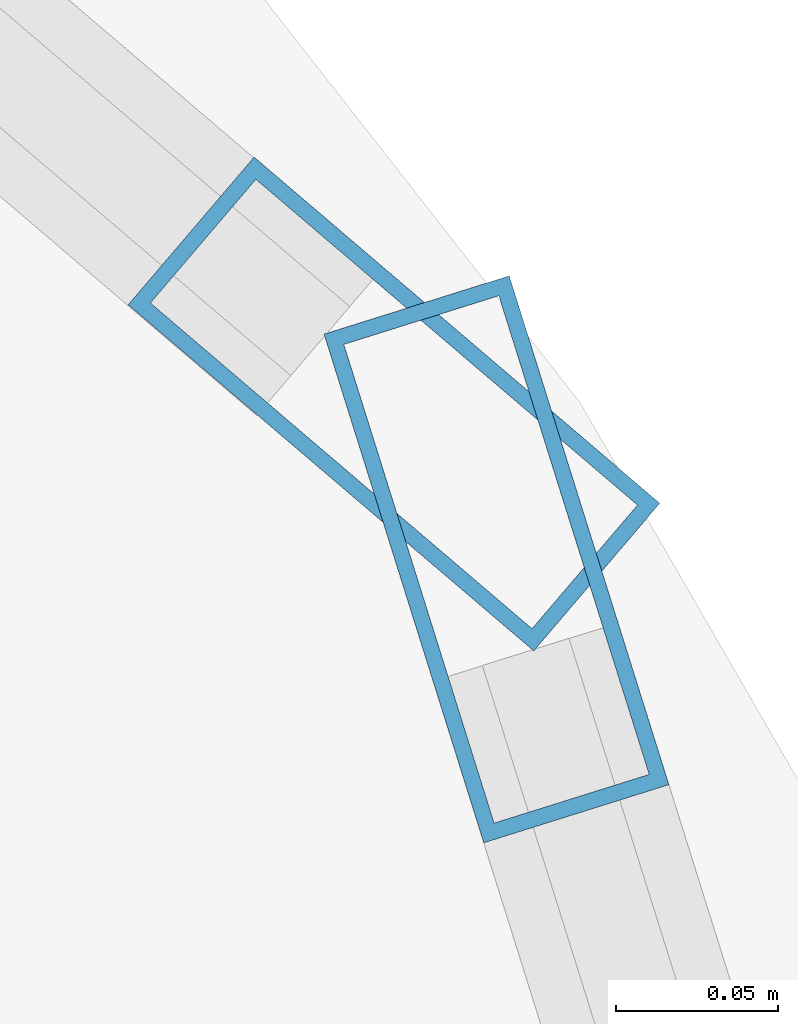
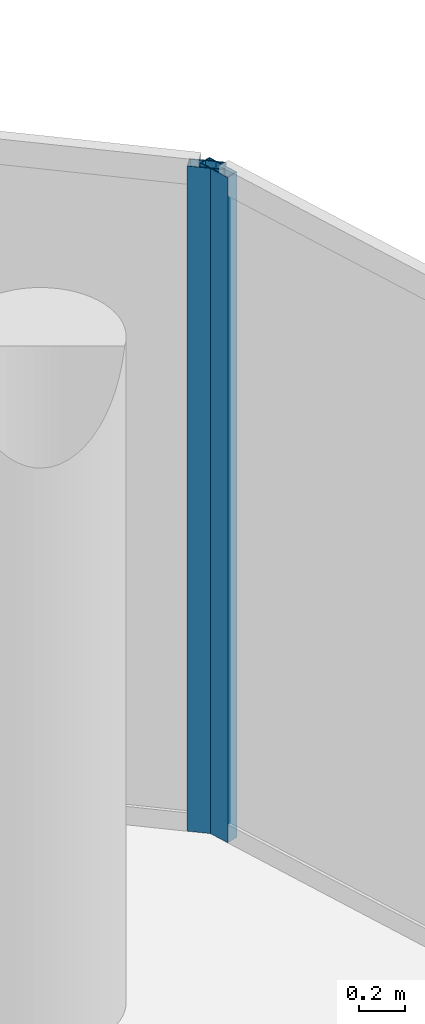
# One storey, part 14 of 24: 2 members, 2 elements without a shape of their own.
"""IFC4 building model written with IfcOpenShell, lengths in metres."""

from ifc_helpers import new_model, si_unit, direction, frame, origin, origin_2d, place, context, subcontext, project, spatial, hollow_rectangle, extrude, material, layer, layer_set, material_profile, profile_set, type_object, element, aggregate, save


model = new_model("IFC4")

# Units and contexts
model_context = context("Model", 3, precision=1e-05, world=origin(), true_north=direction((0.0, 1.0)))
body_context = subcontext(model_context, "Body", "Model", "MODEL_VIEW")
ifc_project = project(units=[si_unit("LENGTHUNIT", "METRE"), si_unit("AREAUNIT", "SQUARE_METRE"), si_unit("VOLUMEUNIT", "CUBIC_METRE"), si_unit("PLANEANGLEUNIT", "RADIAN"), si_unit("MASSUNIT", "GRAM", prefix="KILO")], contexts=[model_context])

# Site, building, storey
site_placement = place(None, origin())
site = spatial("IfcSite", under=ifc_project, at=site_placement, CompositionType="ELEMENT")
building_placement = place(site_placement, origin())
building = spatial("IfcBuilding", under=site, at=building_placement, Name="Nuhasar Tower", CompositionType="ELEMENT")
storey_placement = place(building_placement, frame((0.0, 0.0, 289.800048828125)))
storey = spatial("IfcBuildingStorey", under=building, at=storey_placement, Name="L72", CompositionType="ELEMENT", Elevation=289.800048828125)

# Curtain wall, member
ifc_material = material(Name="Aluminium 6063-T6", Category="aluminium")
ifc_layer = layer(ifc_material, 0.18994140625)
ifc_layer_set = layer_set([ifc_layer], Name="Aluminium 6063-T6")
curtain_wall_type = type_object("IfcCurtainWallType", Name="CW-Z4-PEN", PredefinedType="NOTDEFINED", material=ifc_layer_set)
curtain_wall_1_placement = place(storey_placement, origin())
curtain_wall_1 = element("IfcCurtainWall", 1, at=curtain_wall_1_placement, inside=storey, type_object=curtain_wall_type, Name="L72 Unitised Curtain Wall 01", PredefinedType="NOTDEFINED")
ifc_material_profile = material_profile(ifc_material, hollow_rectangle(XDim=0.06005859375, YDim=0.1650390625, WallThickness=0.0048828125, at=origin_2d()), Name="CWM-5")
ifc_profile_set = profile_set([ifc_material_profile], Name="Aluminium 6063-T6")
member_type = type_object("IfcMemberType", Name="CW-MUL-S5", PredefinedType="MULLION", material=ifc_profile_set)
member_1_placement = place(storey_placement, frame((56.72802734375, 35.50146484375, 0.0), z_axis=(0.0, 0.0, 1.0), x_axis=(-0.954078526601, -0.299556614146, 0.0)))
member_1 = element("IfcMember", 2, at=member_1_placement, type_object=member_type, Name="CW-Z4 mullion 2", PredefinedType="MULLION", context=body_context, shape_type="SweptSolid", body=[
    extrude(hollow_rectangle(XDim=0.06005859375, YDim=0.1650390625, WallThickness=0.0048828125, at=origin_2d()), origin(), (0.0, 0.0, 1.0), 3.5400390625),
])
aggregate(curtain_wall_1, [member_1])

curtain_wall_2_placement = place(storey_placement, origin())
curtain_wall_2 = element("IfcCurtainWall", 3, at=curtain_wall_2_placement, inside=storey, type_object=curtain_wall_type, Name="L72 Unitised Curtain Wall 02", PredefinedType="NOTDEFINED")
member_2_placement = place(storey_placement, frame((56.6962890625, 35.549560546875, 0.0), z_axis=(0.0, 0.0, 1.0), x_axis=(-0.649141996205, -0.760667252327, 0.0)))
member_2 = element("IfcMember", 4, at=member_2_placement, type_object=member_type, Name="CW-Z4 mullion 1", PredefinedType="MULLION", context=body_context, shape_type="SweptSolid", body=[
    extrude(hollow_rectangle(XDim=0.06005859375, YDim=0.1650390625, WallThickness=0.0048828125, at=origin_2d()), origin(), (0.0, 0.0, 1.0), 3.5400390625),
])
aggregate(curtain_wall_2, [member_2])

save(model, "model.ifc")
